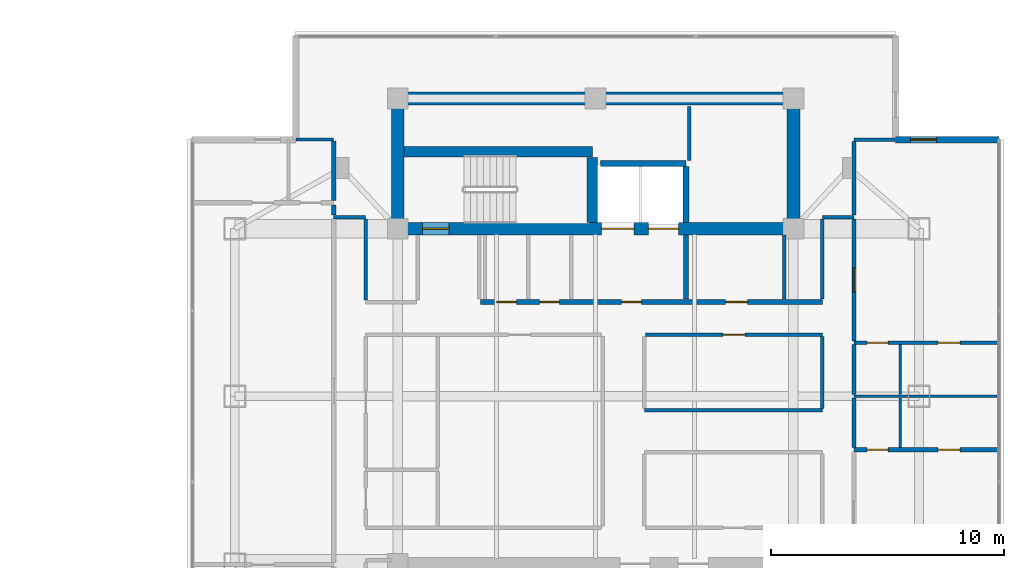
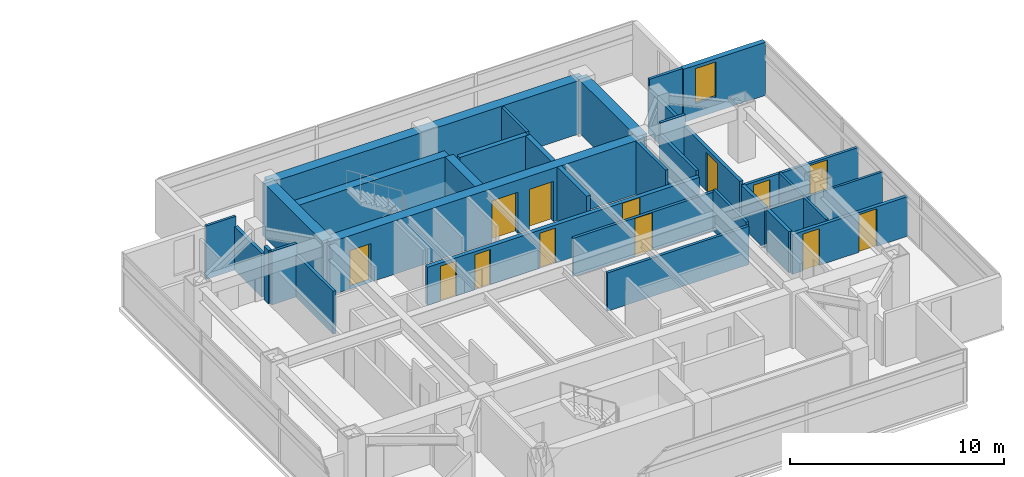
# One storey, part 17 of 24: 33 walls, 13 doors, 1 window, 14 openings.
"""IFC4 building model written with IfcOpenShell, lengths in metres."""

from ifc_helpers import new_model, si_unit, direction, frame, frame_2d, origin, place, context, subcontext, project, spatial, rectangle, extrude, material, layer, layer_set, type_object, element, fill, save


model = new_model("IFC4")

# Units and contexts
model_context = context("Model", 3, precision=1e-05, world=origin(), true_north=direction((0.0, 1.0)))
body_context = subcontext(model_context, "Body", "Model", "MODEL_VIEW")
ifc_project = project(units=[si_unit("LENGTHUNIT", "METRE"), si_unit("AREAUNIT", "SQUARE_METRE"), si_unit("VOLUMEUNIT", "CUBIC_METRE"), si_unit("PLANEANGLEUNIT", "RADIAN"), si_unit("MASSUNIT", "GRAM", prefix="KILO")], contexts=[model_context])

# Site, building, storey
site_placement = place(None, origin())
site = spatial("IfcSite", under=ifc_project, at=site_placement, CompositionType="ELEMENT")
building_placement = place(site_placement, origin())
building = spatial("IfcBuilding", under=site, at=building_placement, Name="Mirazonda Arch Towers", CompositionType="ELEMENT")
storey_placement = place(building_placement, frame((0.0, 0.0, 196.64990234375)))
storey = spatial("IfcBuildingStorey", under=building, at=storey_placement, Name="L56", CompositionType="ELEMENT", Elevation=196.64990234375)

# Walls
ifc_material_1 = material(Name="Concrete C50/60", Category="concrete")
ifc_layer_1 = layer(ifc_material_1, 0.449951171875, Name="WALL-CORE-450")
ifc_layer_set_1 = layer_set([ifc_layer_1], Name="Concrete C50/60")
wall_type_1 = type_object("IfcWallType", Name="WALL-CORE-450", PredefinedType="SHEAR", material=ifc_layer_set_1)
wall_1_placement = place(storey_placement, frame((68.27001953125, 38.5, 0.0), z_axis=(0.0, 0.0, 1.0), x_axis=(1.0, 0.0, 0.0)))
element("IfcWall", 1, at=wall_1_placement, inside=storey, type_object=wall_type_1, Name="L56 Stair Core Shear Wall 046", PredefinedType="SHEAR", context=body_context, shape_type="SweptSolid", body=[
    extrude(rectangle(XDim=8.090087890625, YDim=0.449951171875, at=frame_2d((4.044921875, 0.0))), origin(), (0.0, 0.0, 1.0), 3.050048828125),
])
wall_2_placement = place(storey_placement, frame((76.360107421875, 35.469970703125, 0.0), z_axis=(0.0, 0.0, 1.0), x_axis=(0.0, 1.0, 0.0)))
element("IfcWall", 2, at=wall_2_placement, inside=storey, type_object=wall_type_1, Name="L56 Stair Core Shear Wall 128", PredefinedType="SHEAR", context=body_context, shape_type="SweptSolid", body=[
    extrude(rectangle(XDim=2.794921875, YDim=0.449951171875, at=frame_2d((1.3974609375, 0.0))), origin(), (0.0, 0.0, 1.0), 3.050048828125),
])
ifc_layer_2 = layer(ifc_material_1, 0.550048828125, Name="WALL-CORE-550")
ifc_layer_set_2 = layer_set([ifc_layer_2], Name="Concrete C50/60")
wall_type_2 = type_object("IfcWallType", Name="WALL-CORE-550", PredefinedType="SHEAR", material=ifc_layer_set_2)
wall_3_placement = place(storey_placement, frame((68.0, 40.800048828125, 0.0), z_axis=(0.0, 0.0, 1.0), x_axis=(1.0, 0.0, 0.0)))
element("IfcWall", 3, at=wall_3_placement, inside=storey, type_object=wall_type_2, Name="L56 T2N-N Core Shear Wall", PredefinedType="SHEAR", context=body_context, shape_type="SweptSolid", body=[
    extrude(rectangle(XDim=17.0, YDim=0.550048828125, at=frame_2d((8.5, 0.0))), origin(), (0.0, 0.0, 1.0), 3.050048828125),
])
for number, where, z_axis, x_axis, name in (
    (4, (68.0, 35.199951171875, 0.0), (0.0, 0.0, 1.0), (0.0, 1.0, 0.0), "L56 T2N-W Core Shear Wall"),
    (5, (85.0, 35.199951171875, 0.0), (0.0, 0.0, 1.0), (0.0, 1.0, 0.0), "L56 T2N-E Core Shear Wall"),
):
    element("IfcWall", number, at=place(storey_placement, frame(where, z_axis=z_axis, x_axis=x_axis)), inside=storey, type_object=wall_type_2, Name=name, PredefinedType="SHEAR", context=body_context, shape_type="SweptSolid", body=[
        extrude(rectangle(XDim=5.60009765625, YDim=0.550048828125, at=frame_2d((2.800048828125, 0.0))), origin(), (0.0, 0.0, 1.0), 3.050048828125),
    ])

# Wall, openings, doors
wall_4_placement = place(storey_placement, frame((68.0, 35.199951171875, 0.0), z_axis=(0.0, 0.0, 1.0), x_axis=(1.0, 0.0, 0.0)))
wall_4 = element("IfcWall", 6, at=wall_4_placement, inside=storey, type_object=wall_type_2, Name="L56 T2N-S Core Shear Wall", PredefinedType="SHEAR", context=body_context, shape_type="SweptSolid", body=[
    extrude(rectangle(XDim=17.0, YDim=0.550048828125, at=frame_2d((8.5, 0.0))), origin(), (0.0, 0.0, 1.0), 3.050048828125),
])
opening_1_placement = place(wall_4_placement, frame((1.06005859375, 0.0, 0.0)))
opening_1 = element("IfcOpeningElement", 7, at=opening_1_placement, cuts=wall_4, Name="Opening DR-135", PredefinedType="OPENING", context=body_context, shape_type="SweptSolid", body=[
    extrude(rectangle(XDim=1.14990234375, YDim=2.199951171875, at=frame_2d((0.574951171875, 1.10009765625))), frame((0.0, 0.284912109375, 0.0), z_axis=(0.0, -1.0, 0.0), x_axis=(1.0, 0.0, 0.0)), (0.0, 0.0, 1.0), 0.570068359375),
])
opening_2_placement = place(wall_4_placement, frame((8.75, 0.0, 0.0)))
opening_2 = element("IfcOpeningElement", 8, at=opening_2_placement, cuts=wall_4, Name="Opening LD-112", PredefinedType="OPENING", context=body_context, shape_type="SweptSolid", body=[
    extrude(rectangle(XDim=1.39990234375, YDim=2.35009765625, at=frame_2d((0.699951171875, 1.175048828125))), frame((0.0, 0.284912109375, 0.0), z_axis=(0.0, -1.0, 0.0), x_axis=(1.0, 0.0, 0.0)), (0.0, 0.0, 1.0), 0.570068359375),
])
opening_3_placement = place(wall_4_placement, frame((10.77001953125, 0.0, 0.0)))
opening_3 = element("IfcOpeningElement", 9, at=opening_3_placement, cuts=wall_4, Name="Opening LD-111", PredefinedType="OPENING", context=body_context, shape_type="SweptSolid", body=[
    extrude(rectangle(XDim=1.300048828125, YDim=2.300048828125, at=frame_2d((0.64990234375, 1.14990234375))), frame((0.0, 0.284912109375, 0.0), z_axis=(0.0, -1.0, 0.0), x_axis=(1.0, 0.0, 0.0)), (0.0, 0.0, 1.0), 0.570068359375),
])
ifc_material_2 = material(Name="Architectural Brushed Steel S355", Category="steel")
door_type_1 = type_object("IfcDoorType", Name="DOOR-LIFT-FFL-1400", OperationType="NOTDEFINED", PredefinedType="DOOR", material=ifc_material_2)
door_1_placement = place(opening_2_placement, origin())
door_1 = element("IfcDoor", 10, at=door_1_placement, inside=storey, type_object=door_type_1, Name="L56 Lift Landing Sliding Door FFL-T2", OperationType="DOUBLE_DOOR_SLIDING", OverallHeight=2.35009765625, OverallWidth=1.39990234375, PredefinedType="DOOR", context=body_context, shape_type="SweptSolid", body=[
    extrude(rectangle(XDim=1.39990234375, YDim=2.35009765625, at=frame_2d((0.699951171875, 1.175048828125))), frame((0.0, 0.02490234375, 0.0), z_axis=(0.0, -1.0, 0.0), x_axis=(1.0, 0.0, 0.0)), (0.0, 0.0, 1.0), 0.050048828125),
])
fill(opening_2, door_1)
door_type_2 = type_object("IfcDoorType", Name="DOOR-LIFT-LAND-1300", OperationType="NOTDEFINED", PredefinedType="DOOR", material=ifc_material_2)
door_2_placement = place(opening_3_placement, origin())
door_2 = element("IfcDoor", 11, at=door_2_placement, inside=storey, type_object=door_type_2, Name="L56 Lift Landing Sliding Door SVL-T2", OperationType="DOUBLE_DOOR_SLIDING", OverallHeight=2.300048828125, OverallWidth=1.300048828125, PredefinedType="DOOR", context=body_context, shape_type="SweptSolid", body=[
    extrude(rectangle(XDim=1.300048828125, YDim=2.300048828125, at=frame_2d((0.64990234375, 1.14990234375))), frame((0.0, 0.02490234375, 0.0), z_axis=(0.0, -1.0, 0.0), x_axis=(1.0, 0.0, 0.0)), (0.0, 0.0, 1.0), 0.050048828125),
])
fill(opening_3, door_2)
door_type_3 = type_object("IfcDoorType", Name="DOOR-STAIR-FD90-1150", OperationType="NOTDEFINED", PredefinedType="DOOR", material=ifc_material_2)
door_3_placement = place(opening_1_placement, origin())
door_3 = element("IfcDoor", 12, at=door_3_placement, inside=storey, type_object=door_type_3, Name="L56 East Protected Stair North Door", OperationType="SINGLE_SWING_LEFT", OverallHeight=2.199951171875, OverallWidth=1.14990234375, PredefinedType="DOOR", context=body_context, shape_type="SweptSolid", body=[
    extrude(rectangle(XDim=1.14990234375, YDim=2.199951171875, at=frame_2d((0.574951171875, 1.10009765625))), frame((0.0, 0.02490234375, 0.0), z_axis=(0.0, -1.0, 0.0), x_axis=(1.0, 0.0, 0.0)), (0.0, 0.0, 1.0), 0.050048828125),
])
fill(opening_1, door_3)

# Wall, opening, window
ifc_material_3 = material(Name="Precast Concrete C40/50", Category="concrete")
ifc_layer_3 = layer(ifc_material_3, 0.280029296875, Name="WALL-EXT-WALL-280")
ifc_layer_set_3 = layer_set([ifc_layer_3], Name="Precast Concrete C40/50")
wall_type_3 = type_object("IfcWallType", Name="WALL-EXT-WALL-280", PredefinedType="SOLIDWALL", material=ifc_layer_set_3)
wall_5_placement = place(storey_placement, frame((93.82958984375, 39.031982421875, 0.0), z_axis=(0.0, 0.0, 1.0), x_axis=(-1.0, 0.0, 0.0)))
wall_5 = element("IfcWall", 13, at=wall_5_placement, inside=storey, type_object=wall_type_3, Name="L56 T2 Corner Notch Return Wall WL-L56-T2-CNE2", PredefinedType="SOLIDWALL", context=body_context, shape_type="SweptSolid", body=[
    extrude(rectangle(XDim=4.439697265625, YDim=0.280029296875, at=frame_2d((2.2197265625, 0.0))), origin(), (0.0, 0.0, 1.0), 3.030029296875),
])
opening_4_placement = place(wall_5_placement, frame((2.68994140625, 0.0, 0.85009765625)))
opening_4 = element("IfcOpeningElement", 14, at=opening_4_placement, cuts=wall_5, Name="Opening WN-108", PredefinedType="OPENING", context=body_context, shape_type="SweptSolid", body=[
    extrude(rectangle(XDim=1.10009765625, YDim=2.0, at=frame_2d((0.550048828125, 1.0))), frame((0.0, 0.14990234375, 0.0), z_axis=(0.0, -1.0, 0.0), x_axis=(1.0, 0.0, 0.0)), (0.0, 0.0, 1.0), 0.300048828125),
])
ifc_material_4 = material(Name="Insulated Low-E Solar Glass", Category="glass")
window_type = type_object("IfcWindowType", Name="WIN-NOTCH-1100x2000", PartitioningType="SINGLE_PANEL", PredefinedType="WINDOW", material=ifc_material_4)
window_placement = place(opening_4_placement, origin())
window = element("IfcWindow", 15, at=window_placement, inside=storey, type_object=window_type, Name="L56 Punched Facade Window WN-L56-T2-CNE2", OverallHeight=2.0, OverallWidth=1.10009765625, PartitioningType="SINGLE_PANEL", PredefinedType="WINDOW", context=body_context, shape_type="SweptSolid", body=[
    extrude(rectangle(XDim=1.10009765625, YDim=2.0, at=frame_2d((0.550048828125, 1.0))), frame((0.0, 0.030029296875, 0.0), z_axis=(0.0, -1.0, 0.0), x_axis=(1.0, 0.0, 0.0)), (0.0, 0.0, 1.0), 0.06005859375),
])
fill(opening_4, window)

# Wall, openings, doors
ifc_material_5 = material(Name="Concrete C40/50", Category="concrete")
ifc_layer_4 = layer(ifc_material_5, 0.219970703125, Name="WALL-FFL-220")
ifc_layer_set_4 = layer_set([ifc_layer_4], Name="Concrete C40/50")
wall_type_4 = type_object("IfcWallType", Name="WALL-FFL-220", PredefinedType="SOLIDWALL", material=ifc_layer_set_4)
wall_6_placement = place(storey_placement, frame((71.550048828125, 32.050048828125, 0.0), z_axis=(0.0, 0.0, 1.0), x_axis=(1.0, 0.0, 0.0)))
wall_6 = element("IfcWall", 16, at=wall_6_placement, inside=storey, type_object=wall_type_4, Name="L56 Interior Partition 038", PredefinedType="SOLIDWALL", context=body_context, shape_type="SweptSolid", body=[
    extrude(rectangle(XDim=14.699951171875, YDim=0.219970703125, at=frame_2d((7.35009765625, 0.0))), origin(), (0.0, 0.0, 1.0), 2.18603515625),
])
opening_5_placement = place(wall_6_placement, frame((6.06494140625, 0.0, 0.0)))
opening_5 = element("IfcOpeningElement", 17, at=opening_5_placement, cuts=wall_6, Name="Opening DR-128", PredefinedType="OPENING", context=body_context, shape_type="SweptSolid", body=[
    extrude(rectangle(XDim=0.85009765625, YDim=2.010009765625, at=frame_2d((0.425048828125, 1.0048828125))), frame((0.0, 0.119873046875, 0.0), z_axis=(0.0, -1.0, 0.0), x_axis=(1.0, 0.0, 0.0)), (0.0, 0.0, 1.0), 0.239990234375),
])
opening_6_placement = place(wall_6_placement, frame((10.534912109375, 0.0, 0.0)))
opening_6 = element("IfcOpeningElement", 18, at=opening_6_placement, cuts=wall_6, Name="Opening DR-104", PredefinedType="OPENING", context=body_context, shape_type="SweptSolid", body=[
    extrude(rectangle(XDim=0.949951171875, YDim=2.14990234375, at=frame_2d((0.47509765625, 1.074951171875))), frame((0.0, 0.119873046875, 0.0), z_axis=(0.0, -1.0, 0.0), x_axis=(1.0, 0.0, 0.0)), (0.0, 0.0, 1.0), 0.239990234375),
])
opening_7_placement = place(wall_6_placement, frame((0.699951171875, 0.0, 0.0)))
opening_7 = element("IfcOpeningElement", 19, at=opening_7_placement, cuts=wall_6, Name="Opening DR-128", PredefinedType="OPENING", context=body_context, shape_type="SweptSolid", body=[
    extrude(rectangle(XDim=0.85009765625, YDim=2.010009765625, at=frame_2d((0.425048828125, 1.0048828125))), frame((0.0, 0.119873046875, 0.0), z_axis=(0.0, -1.0, 0.0), x_axis=(1.0, 0.0, 0.0)), (0.0, 0.0, 1.0), 0.239990234375),
])
opening_8_placement = place(wall_6_placement, frame((2.550048828125, 0.0, 0.0)))
opening_8 = element("IfcOpeningElement", 20, at=opening_8_placement, cuts=wall_6, Name="Opening DR-128", PredefinedType="OPENING", context=body_context, shape_type="SweptSolid", body=[
    extrude(rectangle(XDim=0.85009765625, YDim=2.010009765625, at=frame_2d((0.425048828125, 1.0048828125))), frame((0.0, 0.119873046875, 0.0), z_axis=(0.0, -1.0, 0.0), x_axis=(1.0, 0.0, 0.0)), (0.0, 0.0, 1.0), 0.239990234375),
])
door_type_4 = type_object("IfcDoorType", Name="DOOR-RISER-FD60-850", OperationType="NOTDEFINED", PredefinedType="DOOR", material=ifc_material_2)
door_4_placement = place(opening_5_placement, origin())
door_4 = element("IfcDoor", 21, at=door_4_placement, inside=storey, type_object=door_type_4, Name="L56 East Firefighting Lift Lobby Door", OperationType="SINGLE_SWING_RIGHT", OverallHeight=2.010009765625, OverallWidth=0.85009765625, PredefinedType="DOOR", context=body_context, shape_type="SweptSolid", body=[
    extrude(rectangle(XDim=0.85009765625, YDim=2.010009765625, at=frame_2d((0.425048828125, 1.0048828125))), frame((0.0, 0.02490234375, 0.0), z_axis=(0.0, -1.0, 0.0), x_axis=(1.0, 0.0, 0.0)), (0.0, 0.0, 1.0), 0.050048828125),
])
fill(opening_5, door_4)
door_5_placement = place(opening_7_placement, origin())
door_5 = element("IfcDoor", 22, at=door_5_placement, inside=storey, type_object=door_type_4, Name="L56 Tower 2 Electrical Room Door", OperationType="SINGLE_SWING_RIGHT", OverallHeight=2.010009765625, OverallWidth=0.85009765625, PredefinedType="DOOR", context=body_context, shape_type="SweptSolid", body=[
    extrude(rectangle(XDim=0.85009765625, YDim=2.010009765625, at=frame_2d((0.425048828125, 1.0048828125))), frame((0.0, 0.02490234375, 0.0), z_axis=(0.0, -1.0, 0.0), x_axis=(1.0, 0.0, 0.0)), (0.0, 0.0, 1.0), 0.050048828125),
])
fill(opening_7, door_5)
door_6_placement = place(opening_8_placement, origin())
door_6 = element("IfcDoor", 23, at=door_6_placement, inside=storey, type_object=door_type_4, Name="L56 Tower 2 Cleaners Store Door", OperationType="SINGLE_SWING_LEFT", OverallHeight=2.010009765625, OverallWidth=0.85009765625, PredefinedType="DOOR", context=body_context, shape_type="SweptSolid", body=[
    extrude(rectangle(XDim=0.85009765625, YDim=2.010009765625, at=frame_2d((0.425048828125, 1.0048828125))), frame((0.0, 0.02490234375, 0.0), z_axis=(0.0, -1.0, 0.0), x_axis=(1.0, 0.0, 0.0)), (0.0, 0.0, 1.0), 0.050048828125),
])
fill(opening_8, door_6)
door_type_5 = type_object("IfcDoorType", Name="DOOR-ROOM-950", OperationType="NOTDEFINED", PredefinedType="DOOR", material=ifc_material_2)
door_7_placement = place(opening_6_placement, origin())
door_7 = element("IfcDoor", 24, at=door_7_placement, inside=storey, type_object=door_type_5, Name="L56 East Sky Reading Library Door", OperationType="SINGLE_SWING_LEFT", OverallHeight=2.14990234375, OverallWidth=0.949951171875, PredefinedType="DOOR", context=body_context, shape_type="SweptSolid", body=[
    extrude(rectangle(XDim=0.949951171875, YDim=2.14990234375, at=frame_2d((0.47509765625, 1.074951171875))), frame((0.0, 0.02490234375, 0.0), z_axis=(0.0, -1.0, 0.0), x_axis=(1.0, 0.0, 0.0)), (0.0, 0.0, 1.0), 0.050048828125),
])
fill(opening_6, door_7)

# Walls
wall_7_placement = place(storey_placement, frame((80.3798828125, 32.169921875, 0.0), z_axis=(0.0, 0.0, 1.0), x_axis=(0.0, 1.0, 0.0)))
element("IfcWall", 25, at=wall_7_placement, inside=storey, type_object=wall_type_4, Name="L56 Interior Partition 133", PredefinedType="SOLIDWALL", context=body_context, shape_type="SweptSolid", body=[
    extrude(rectangle(XDim=2.760009765625, YDim=0.219970703125, at=frame_2d((1.3798828125, 0.0))), origin(), (0.0, 0.0, 1.0), 3.050048828125),
])
ifc_material_6 = material(Name="Fire-Rated Gypsum Stud Partition")
ifc_layer_5 = layer(ifc_material_6, 0.14990234375, Name="WALL-PART-CORR-150")
ifc_layer_set_5 = layer_set([ifc_layer_5], Name="Fire-Rated Gypsum Stud Partition")
wall_type_5 = type_object("IfcWallType", Name="WALL-PART-CORR-150", PredefinedType="PARTITIONING", material=ifc_layer_set_5)
wall_8_placement = place(storey_placement, frame((78.60009765625, 27.39990234375, 0.0), z_axis=(0.0, 0.0, 1.0), x_axis=(1.0, 0.0, 0.0)))
element("IfcWall", 26, at=wall_8_placement, inside=storey, type_object=wall_type_5, Name="L56 Interior Partition 028", PredefinedType="PARTITIONING", context=body_context, shape_type="SweptSolid", body=[
    extrude(rectangle(XDim=7.64990234375, YDim=0.14990234375, at=frame_2d((3.824951171875, 0.0))), origin(), (0.0, 0.0, 1.0), 2.18603515625),
])

# Wall, openings, doors
wall_9_placement = place(storey_placement, frame((87.60009765625, 30.300048828125, 0.0), z_axis=(0.0, 0.0, 1.0), x_axis=(1.0, 0.0, 0.0)))
wall_9 = element("IfcWall", 27, at=wall_9_placement, inside=storey, type_object=wall_type_5, Name="L56 Interior Partition 032", PredefinedType="PARTITIONING", context=body_context, shape_type="SweptSolid", body=[
    extrude(rectangle(XDim=6.22900390625, YDim=0.14990234375, at=frame_2d((3.114501953125, 0.0))), origin(), (0.0, 0.0, 1.0), 2.26904296875),
])
opening_9_placement = place(wall_9_placement, frame((3.615966796875, 0.0, 0.0)))
opening_9 = element("IfcOpeningElement", 28, at=opening_9_placement, cuts=wall_9, Name="Opening DR-104", PredefinedType="OPENING", context=body_context, shape_type="SweptSolid", body=[
    extrude(rectangle(XDim=0.949951171875, YDim=2.14990234375, at=frame_2d((0.47509765625, 1.074951171875))), frame((0.0, 0.0849609375, 0.0), z_axis=(0.0, -1.0, 0.0), x_axis=(1.0, 0.0, 0.0)), (0.0, 0.0, 1.0), 0.169921875),
])
opening_10_placement = place(wall_9_placement, frame((0.56640625, 0.0, 0.0)))
opening_10 = element("IfcOpeningElement", 29, at=opening_10_placement, cuts=wall_9, Name="Opening DR-120", PredefinedType="OPENING", context=body_context, shape_type="SweptSolid", body=[
    extrude(rectangle(XDim=0.89990234375, YDim=2.10009765625, at=frame_2d((0.449951171875, 1.050048828125))), frame((0.0, 0.0849609375, 0.0), z_axis=(0.0, -1.0, 0.0), x_axis=(1.0, 0.0, 0.0)), (0.0, 0.0, 1.0), 0.169921875),
])
door_8_placement = place(opening_9_placement, origin())
door_8 = element("IfcDoor", 30, at=door_8_placement, inside=storey, type_object=door_type_5, Name="L56 Studio 2 Galley Kitchen Door", OperationType="SINGLE_SWING_RIGHT", OverallHeight=2.14990234375, OverallWidth=0.949951171875, PredefinedType="DOOR", context=body_context, shape_type="SweptSolid", body=[
    extrude(rectangle(XDim=0.949951171875, YDim=2.14990234375, at=frame_2d((0.47509765625, 1.074951171875))), frame((0.0, 0.02490234375, 0.0), z_axis=(0.0, -1.0, 0.0), x_axis=(1.0, 0.0, 0.0)), (0.0, 0.0, 1.0), 0.050048828125),
])
fill(opening_9, door_8)
door_type_6 = type_object("IfcDoorType", Name="DOOR-WC-900", OperationType="NOTDEFINED", PredefinedType="DOOR", material=ifc_material_2)
door_9_placement = place(opening_10_placement, origin())
door_9 = element("IfcDoor", 31, at=door_9_placement, inside=storey, type_object=door_type_6, Name="L56 Studio 2 Bathroom Door", OperationType="SINGLE_SWING_LEFT", OverallHeight=2.10009765625, OverallWidth=0.89990234375, PredefinedType="DOOR", context=body_context, shape_type="SweptSolid", body=[
    extrude(rectangle(XDim=0.89990234375, YDim=2.10009765625, at=frame_2d((0.449951171875, 1.050048828125))), frame((0.0, 0.02490234375, 0.0), z_axis=(0.0, -1.0, 0.0), x_axis=(1.0, 0.0, 0.0)), (0.0, 0.0, 1.0), 0.050048828125),
])
fill(opening_10, door_9)

# Wall, opening, door
wall_10_placement = place(storey_placement, frame((78.639892578125, 30.64990234375, 0.0), z_axis=(0.0, 0.0, 1.0), x_axis=(1.0, 0.0, 0.0)))
wall_10 = element("IfcWall", 32, at=wall_10_placement, inside=storey, type_object=wall_type_5, Name="L56 Interior Partition 034", PredefinedType="PARTITIONING", context=body_context, shape_type="SweptSolid", body=[
    extrude(rectangle(XDim=7.610107421875, YDim=0.14990234375, at=frame_2d((3.80517578125, 0.0))), origin(), (0.0, 0.0, 1.0), 2.18603515625),
])
opening_11_placement = place(wall_10_placement, frame((3.330078125, 0.0, 0.0)))
opening_11 = element("IfcOpeningElement", 33, at=opening_11_placement, cuts=wall_10, Name="Opening DR-104", PredefinedType="OPENING", context=body_context, shape_type="SweptSolid", body=[
    extrude(rectangle(XDim=0.949951171875, YDim=2.14990234375, at=frame_2d((0.47509765625, 1.074951171875))), frame((0.0, 0.0849609375, 0.0), z_axis=(0.0, -1.0, 0.0), x_axis=(1.0, 0.0, 0.0)), (0.0, 0.0, 1.0), 0.169921875),
])
door_10_placement = place(opening_11_placement, origin())
door_10 = element("IfcDoor", 34, at=door_10_placement, inside=storey, type_object=door_type_5, Name="L56 L56 Tower 2 North-East Study Door", OperationType="SINGLE_SWING_LEFT", OverallHeight=2.14990234375, OverallWidth=0.949951171875, PredefinedType="DOOR", context=body_context, shape_type="SweptSolid", body=[
    extrude(rectangle(XDim=0.949951171875, YDim=2.14990234375, at=frame_2d((0.47509765625, 1.074951171875))), frame((0.0, 0.02490234375, 0.0), z_axis=(0.0, -1.0, 0.0), x_axis=(1.0, 0.0, 0.0)), (0.0, 0.0, 1.0), 0.050048828125),
])
fill(opening_11, door_10)

# Walls
wall_11_placement = place(storey_placement, frame((65.25, 35.699951171875, 0.0), z_axis=(0.0, 0.0, 1.0), x_axis=(1.0, 0.0, 0.0)))
element("IfcWall", 35, at=wall_11_placement, inside=storey, type_object=wall_type_5, Name="L56 Interior Partition 042", PredefinedType="PARTITIONING", context=body_context, shape_type="SweptSolid", body=[
    extrude(rectangle(XDim=1.3701171875, YDim=0.14990234375, at=frame_2d((0.68505859375, 0.0))), origin(), (0.0, 0.0, 1.0), 3.050048828125),
])
wall_12_placement = place(storey_placement, frame((86.25, 35.699951171875, 0.0), z_axis=(0.0, 0.0, 1.0), x_axis=(1.0, 0.0, 0.0)))
element("IfcWall", 36, at=wall_12_placement, inside=storey, type_object=wall_type_5, Name="L56 Interior Partition 043", PredefinedType="PARTITIONING", context=body_context, shape_type="SweptSolid", body=[
    extrude(rectangle(XDim=1.35009765625, YDim=0.14990234375, at=frame_2d((0.675048828125, 0.0))), origin(), (0.0, 0.0, 1.0), 3.050048828125),
])
wall_13_placement = place(storey_placement, frame((87.60009765625, 39.031982421875, 0.0), z_axis=(0.0, 0.0, 1.0), x_axis=(1.0, 0.0, 0.0)))
element("IfcWall", 37, at=wall_13_placement, inside=storey, type_object=wall_type_5, Name="L56 Interior Partition 048", PredefinedType="PARTITIONING", context=body_context, shape_type="SweptSolid", body=[
    extrude(rectangle(XDim=1.769775390625, YDim=0.14990234375, at=frame_2d((0.884765625, 0.0))), origin(), (0.0, 0.0, 1.0), 3.050048828125),
])
wall_14_placement = place(storey_placement, frame((66.6201171875, 32.135009765625, 0.0), z_axis=(0.0, 0.0, 1.0), x_axis=(0.0, 1.0, 0.0)))
element("IfcWall", 38, at=wall_14_placement, inside=storey, type_object=wall_type_5, Name="L56 Interior Partition 119", PredefinedType="PARTITIONING", context=body_context, shape_type="SweptSolid", body=[
    extrude(rectangle(XDim=3.47998046875, YDim=0.14990234375, at=frame_2d((1.739990234375, 0.0))), origin(), (0.0, 0.0, 1.0), 2.442138671875),
])
wall_15_placement = place(storey_placement, frame((80.52001953125, 38.135009765625, 0.0), z_axis=(0.0, 0.0, 1.0), x_axis=(0.0, 1.0, 0.0)))
element("IfcWall", 39, at=wall_15_placement, inside=storey, type_object=wall_type_5, Name="L56 Interior Partition 135", PredefinedType="PARTITIONING", context=body_context, shape_type="SweptSolid", body=[
    extrude(rectangle(XDim=2.31494140625, YDim=0.14990234375, at=frame_2d((1.157470703125, 0.0))), origin(), (0.0, 0.0, 1.0), 3.050048828125),
])
wall_16_placement = place(storey_placement, frame((84.60009765625, 32.169921875, 0.0), z_axis=(0.0, 0.0, 1.0), x_axis=(0.0, 1.0, 0.0)))
element("IfcWall", 40, at=wall_16_placement, inside=storey, type_object=wall_type_5, Name="L56 Interior Partition 137", PredefinedType="PARTITIONING", context=body_context, shape_type="SweptSolid", body=[
    extrude(rectangle(XDim=2.760009765625, YDim=0.14990234375, at=frame_2d((1.3798828125, 0.0))), origin(), (0.0, 0.0, 1.0), 3.050048828125),
])
wall_17_placement = place(storey_placement, frame((86.25, 27.485107421875, 0.0), z_axis=(0.0, 0.0, 1.0), x_axis=(0.0, 1.0, 0.0)))
element("IfcWall", 41, at=wall_17_placement, inside=storey, type_object=wall_type_5, Name="L56 Interior Partition 140", PredefinedType="PARTITIONING", context=body_context, shape_type="SweptSolid", body=[
    extrude(rectangle(XDim=3.079833984375, YDim=0.14990234375, at=frame_2d((1.5400390625, 0.0))), origin(), (0.0, 0.0, 1.0), 2.34619140625),
])
wall_18_placement = place(storey_placement, frame((86.25, 32.169921875, 0.0), z_axis=(0.0, 0.0, 1.0), x_axis=(0.0, 1.0, 0.0)))
element("IfcWall", 42, at=wall_18_placement, inside=storey, type_object=wall_type_5, Name="L56 Interior Partition 141", PredefinedType="PARTITIONING", context=body_context, shape_type="SweptSolid", body=[
    extrude(rectangle(XDim=3.445068359375, YDim=0.14990234375, at=frame_2d((1.72265625, 0.0))), origin(), (0.0, 0.0, 1.0), 2.442138671875),
])

# Wall, openings, doors
ifc_material_7 = material(Name="Fire-Rated Gypsum Twin-Stud Assembly")
ifc_layer_6 = layer(ifc_material_7, 0.179931640625, Name="WALL-PART-DEMISE-180")
ifc_layer_set_6 = layer_set([ifc_layer_6], Name="Fire-Rated Gypsum Twin-Stud Assembly")
wall_type_6 = type_object("IfcWallType", Name="WALL-PART-DEMISE-180", PredefinedType="PARTITIONING", material=ifc_layer_set_6)
wall_19_placement = place(storey_placement, frame((87.60009765625, 25.699951171875, 0.0), z_axis=(0.0, 0.0, 1.0), x_axis=(1.0, 0.0, 0.0)))
wall_19 = element("IfcWall", 43, at=wall_19_placement, inside=storey, type_object=wall_type_6, Name="L56 Interior Partition 027", PredefinedType="PARTITIONING", context=body_context, shape_type="SweptSolid", body=[
    extrude(rectangle(XDim=6.22900390625, YDim=0.179931640625, at=frame_2d((3.114501953125, 0.0))), origin(), (0.0, 0.0, 1.0), 2.26904296875),
])
opening_12_placement = place(wall_19_placement, frame((3.615966796875, 0.0, 0.0)))
opening_12 = element("IfcOpeningElement", 44, at=opening_12_placement, cuts=wall_19, Name="Opening DR-104", PredefinedType="OPENING", context=body_context, shape_type="SweptSolid", body=[
    extrude(rectangle(XDim=0.949951171875, YDim=2.14990234375, at=frame_2d((0.47509765625, 1.074951171875))), frame((0.0, 0.099853515625, 0.0), z_axis=(0.0, -1.0, 0.0), x_axis=(1.0, 0.0, 0.0)), (0.0, 0.0, 1.0), 0.199951171875),
])
opening_13_placement = place(wall_19_placement, frame((0.56640625, 0.0, 0.0)))
opening_13 = element("IfcOpeningElement", 45, at=opening_13_placement, cuts=wall_19, Name="Opening DR-120", PredefinedType="OPENING", context=body_context, shape_type="SweptSolid", body=[
    extrude(rectangle(XDim=0.89990234375, YDim=2.10009765625, at=frame_2d((0.449951171875, 1.050048828125))), frame((0.0, 0.099853515625, 0.0), z_axis=(0.0, -1.0, 0.0), x_axis=(1.0, 0.0, 0.0)), (0.0, 0.0, 1.0), 0.199951171875),
])
door_11_placement = place(opening_12_placement, origin())
door_11 = element("IfcDoor", 46, at=door_11_placement, inside=storey, type_object=door_type_5, Name="L56 Studio 1 Galley Kitchen Door", OperationType="SINGLE_SWING_LEFT", OverallHeight=2.14990234375, OverallWidth=0.949951171875, PredefinedType="DOOR", context=body_context, shape_type="SweptSolid", body=[
    extrude(rectangle(XDim=0.949951171875, YDim=2.14990234375, at=frame_2d((0.47509765625, 1.074951171875))), frame((0.0, 0.02490234375, 0.0), z_axis=(0.0, -1.0, 0.0), x_axis=(1.0, 0.0, 0.0)), (0.0, 0.0, 1.0), 0.050048828125),
])
fill(opening_12, door_11)
door_12_placement = place(opening_13_placement, origin())
door_12 = element("IfcDoor", 47, at=door_12_placement, inside=storey, type_object=door_type_6, Name="L56 Studio 1 Bathroom Door", OperationType="SINGLE_SWING_RIGHT", OverallHeight=2.10009765625, OverallWidth=0.89990234375, PredefinedType="DOOR", context=body_context, shape_type="SweptSolid", body=[
    extrude(rectangle(XDim=0.89990234375, YDim=2.10009765625, at=frame_2d((0.449951171875, 1.050048828125))), frame((0.0, 0.02490234375, 0.0), z_axis=(0.0, -1.0, 0.0), x_axis=(1.0, 0.0, 0.0)), (0.0, 0.0, 1.0), 0.050048828125),
])
fill(opening_13, door_12)

# Walls
wall_20_placement = place(storey_placement, frame((65.25, 35.784912109375, 0.0), z_axis=(0.0, 0.0, 1.0), x_axis=(0.0, 1.0, 0.0)))
element("IfcWall", 48, at=wall_20_placement, inside=storey, type_object=wall_type_6, Name="L56 Interior Partition 114", PredefinedType="PARTITIONING", context=body_context, shape_type="SweptSolid", body=[
    extrude(rectangle(XDim=0.427001953125, YDim=0.179931640625, at=frame_2d((0.21337890625, 0.0))), origin(), (0.0, 0.0, 1.0), 3.050048828125),
])
wall_21_placement = place(storey_placement, frame((65.25, 36.412109375, 0.0), z_axis=(0.0, 0.0, 1.0), x_axis=(0.0, 1.0, 0.0)))
element("IfcWall", 49, at=wall_21_placement, inside=storey, type_object=wall_type_6, Name="L56 Interior Partition 115", PredefinedType="PARTITIONING", context=body_context, shape_type="SweptSolid", body=[
    extrude(rectangle(XDim=2.54736328125, YDim=0.179931640625, at=frame_2d((1.273681640625, 0.0))), origin(), (0.0, 0.0, 1.0), 2.4931640625),
])
wall_22_placement = place(storey_placement, frame((87.60009765625, 25.800048828125, 0.0), z_axis=(0.0, 0.0, 1.0), x_axis=(0.0, 1.0, 0.0)))
element("IfcWall", 50, at=wall_22_placement, inside=storey, type_object=wall_type_6, Name="L56 Interior Partition 144", PredefinedType="PARTITIONING", context=body_context, shape_type="SweptSolid", body=[
    extrude(rectangle(XDim=2.12744140625, YDim=0.179931640625, at=frame_2d((1.063720703125, 0.0))), origin(), (0.0, 0.0, 1.0), 2.34619140625),
])
wall_23_placement = place(storey_placement, frame((87.60009765625, 28.072509765625, 0.0), z_axis=(0.0, 0.0, 1.0), x_axis=(0.0, 1.0, 0.0)))
element("IfcWall", 51, at=wall_23_placement, inside=storey, type_object=wall_type_6, Name="L56 Interior Partition 145", PredefinedType="PARTITIONING", context=body_context, shape_type="SweptSolid", body=[
    extrude(rectangle(XDim=2.142578125, YDim=0.179931640625, at=frame_2d((1.0712890625, 0.0))), origin(), (0.0, 0.0, 1.0), 2.34619140625),
])

# Wall, opening, door
wall_24_placement = place(storey_placement, frame((87.60009765625, 30.385009765625, 0.0), z_axis=(0.0, 0.0, 1.0), x_axis=(0.0, 1.0, 0.0)))
wall_24 = element("IfcWall", 52, at=wall_24_placement, inside=storey, type_object=wall_type_6, Name="L56 Interior Partition 146", PredefinedType="PARTITIONING", context=body_context, shape_type="SweptSolid", body=[
    extrude(rectangle(XDim=5.22998046875, YDim=0.179931640625, at=frame_2d((2.614990234375, 0.0))), origin(), (0.0, 0.0, 1.0), 2.442138671875),
])
opening_14_placement = place(wall_24_placement, frame((2.090087890625, 0.0, 0.0)))
opening_14 = element("IfcOpeningElement", 53, at=opening_14_placement, cuts=wall_24, Name="Opening DR-121", PredefinedType="OPENING", context=body_context, shape_type="SweptSolid", body=[
    extrude(rectangle(XDim=1.050048828125, YDim=2.199951171875, at=frame_2d((0.52490234375, 1.10009765625))), frame((0.0, 0.099853515625, 0.0), z_axis=(0.0, -1.0, 0.0), x_axis=(1.0, 0.0, 0.0)), (0.0, 0.0, 1.0), 0.199951171875),
])
door_type_7 = type_object("IfcDoorType", Name="DOOR-SUITE-FD60-1050", OperationType="NOTDEFINED", PredefinedType="DOOR", material=ifc_material_2)
door_13_placement = place(opening_14_placement, origin())
door_13 = element("IfcDoor", 54, at=door_13_placement, inside=storey, type_object=door_type_7, Name="L56 Studio Apartment 2 Living Salon Door", OperationType="SINGLE_SWING_LEFT", OverallHeight=2.199951171875, OverallWidth=1.050048828125, PredefinedType="DOOR", context=body_context, shape_type="SweptSolid", body=[
    extrude(rectangle(XDim=1.050048828125, YDim=2.199951171875, at=frame_2d((0.52490234375, 1.10009765625))), frame((0.0, 0.02490234375, 0.0), z_axis=(0.0, -1.0, 0.0), x_axis=(1.0, 0.0, 0.0)), (0.0, 0.0, 1.0), 0.050048828125),
])
fill(opening_14, door_13)

# Walls
wall_25_placement = place(storey_placement, frame((87.60009765625, 35.784912109375, 0.0), z_axis=(0.0, 0.0, 1.0), x_axis=(0.0, 1.0, 0.0)))
element("IfcWall", 55, at=wall_25_placement, inside=storey, type_object=wall_type_6, Name="L56 Interior Partition 147", PredefinedType="PARTITIONING", context=body_context, shape_type="SweptSolid", body=[
    extrude(rectangle(XDim=3.162109375, YDim=0.179931640625, at=frame_2d((1.5810546875, 0.0))), origin(), (0.0, 0.0, 1.0), 2.4931640625),
])
ifc_material_8 = material(Name="Acoustic Fire-Rated Gypsum Partition")
ifc_layer_7 = layer(ifc_material_8, 0.125, Name="WALL-PART-UNIT-125")
ifc_layer_set_7 = layer_set([ifc_layer_7], Name="Acoustic Fire-Rated Gypsum Partition")
wall_type_7 = type_object("IfcWallType", Name="WALL-PART-UNIT-125", PredefinedType="PARTITIONING", material=ifc_layer_set_7)
wall_26_placement = place(storey_placement, frame((87.60009765625, 28.0, 0.0), z_axis=(0.0, 0.0, 1.0), x_axis=(1.0, 0.0, 0.0)))
element("IfcWall", 56, at=wall_26_placement, inside=storey, type_object=wall_type_7, Name="L56 Interior Partition 031", PredefinedType="PARTITIONING", context=body_context, shape_type="SweptSolid", body=[
    extrude(rectangle(XDim=6.22900390625, YDim=0.125, at=frame_2d((3.114501953125, 0.0))), origin(), (0.0, 0.0, 1.0), 2.26904296875),
])
wall_27_placement = place(storey_placement, frame((63.630126953125, 39.031982421875, 0.0), z_axis=(0.0, 0.0, 1.0), x_axis=(1.0, 0.0, 0.0)))
element("IfcWall", 57, at=wall_27_placement, inside=storey, type_object=wall_type_7, Name="L56 Interior Partition 047", PredefinedType="PARTITIONING", context=body_context, shape_type="SweptSolid", body=[
    extrude(rectangle(XDim=1.619873046875, YDim=0.125, at=frame_2d((0.81005859375, 0.0))), origin(), (0.0, 0.0, 1.0), 3.050048828125),
])
wall_28_placement = place(storey_placement, frame((89.593017578125, 25.800048828125, 0.0), z_axis=(0.0, 0.0, 1.0), x_axis=(0.0, 1.0, 0.0)))
element("IfcWall", 58, at=wall_28_placement, inside=storey, type_object=wall_type_7, Name="L56 Interior Partition 148", PredefinedType="PARTITIONING", context=body_context, shape_type="SweptSolid", body=[
    extrude(rectangle(XDim=2.12744140625, YDim=0.125, at=frame_2d((1.063720703125, 0.0))), origin(), (0.0, 0.0, 1.0), 2.34619140625),
])
wall_29_placement = place(storey_placement, frame((89.593017578125, 28.072509765625, 0.0), z_axis=(0.0, 0.0, 1.0), x_axis=(0.0, 1.0, 0.0)))
element("IfcWall", 59, at=wall_29_placement, inside=storey, type_object=wall_type_7, Name="L56 Interior Partition 149", PredefinedType="PARTITIONING", context=body_context, shape_type="SweptSolid", body=[
    extrude(rectangle(XDim=2.142578125, YDim=0.125, at=frame_2d((1.0712890625, 0.0))), origin(), (0.0, 0.0, 1.0), 2.34619140625),
])
ifc_layer_8 = layer(ifc_material_5, 0.25, Name="WALL-SHAFT-250")
ifc_layer_set_8 = layer_set([ifc_layer_8], Name="Concrete C40/50")
wall_type_8 = type_object("IfcWallType", Name="WALL-SHAFT-250", PredefinedType="SOLIDWALL", material=ifc_layer_set_8)
wall_30_placement = place(storey_placement, frame((76.719970703125, 38.0, 0.0), z_axis=(0.0, 0.0, 1.0), x_axis=(1.0, 0.0, 0.0)))
element("IfcWall", 60, at=wall_30_placement, inside=storey, type_object=wall_type_8, Name="L56 Interior Partition 045", PredefinedType="SOLIDWALL", context=body_context, shape_type="SweptSolid", body=[
    extrude(rectangle(XDim=3.659912109375, YDim=0.25, at=frame_2d((1.830078125, 0.0))), origin(), (0.0, 0.0, 1.0), 3.050048828125),
])
wall_31_placement = place(storey_placement, frame((80.3798828125, 35.469970703125, 0.0), z_axis=(0.0, 0.0, 1.0), x_axis=(0.0, 1.0, 0.0)))
element("IfcWall", 61, at=wall_31_placement, inside=storey, type_object=wall_type_8, Name="L56 Interior Partition 134", PredefinedType="SOLIDWALL", context=body_context, shape_type="SweptSolid", body=[
    extrude(rectangle(XDim=2.39501953125, YDim=0.25, at=frame_2d((1.197509765625, 0.0))), origin(), (0.0, 0.0, 1.0), 3.050048828125),
])

save(model, "model.ifc")
